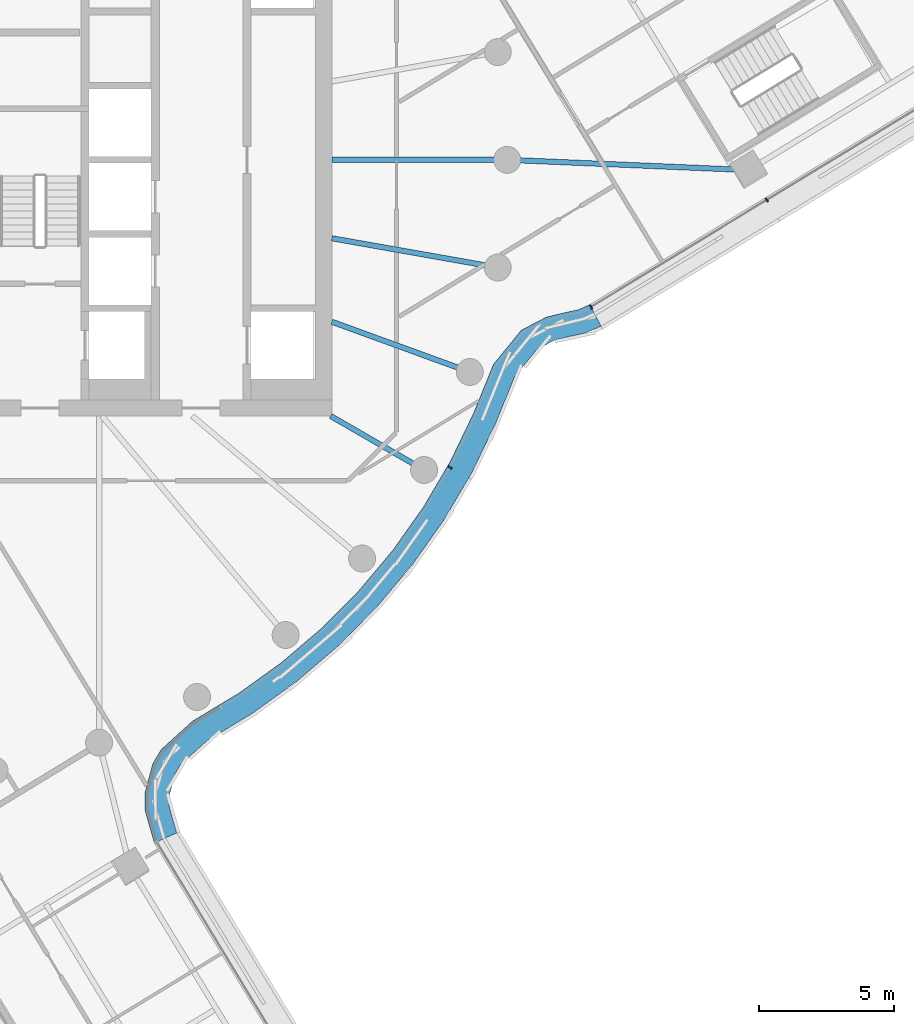
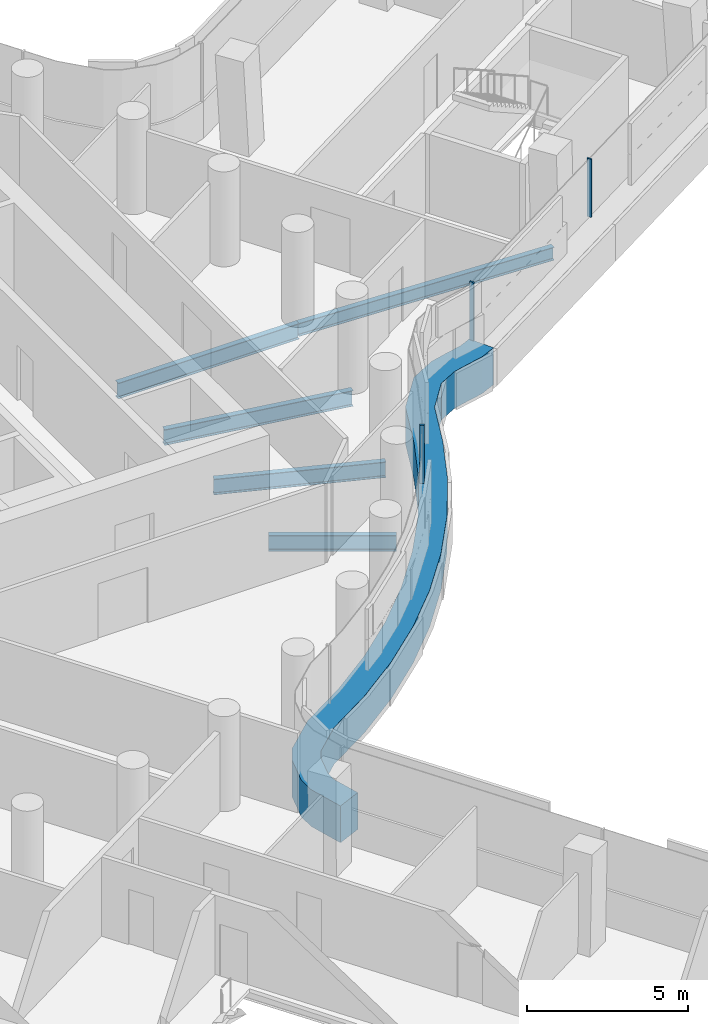
# One storey, part 11 of 35: 5 beams, 4 members, 2 elements without a shape of their own.
"""IFC4 building model written with IfcOpenShell, lengths in metres."""

from ifc_helpers import new_model, si_unit, direction, frame, origin, origin_2d, place, context, subcontext, project, spatial, polyline, rectangle, i_section, outline, extrude, material, layer, layer_set, material_profile, profile_set, type_object, element, aggregate, save


model = new_model("IFC4")

# Units and contexts
model_context = context("Model", 3, precision=1e-05, world=origin(), true_north=direction((0.0, 1.0)))
body_context = subcontext(model_context, "Body", "Model", "MODEL_VIEW")
ifc_project = project(units=[si_unit("LENGTHUNIT", "METRE"), si_unit("AREAUNIT", "SQUARE_METRE"), si_unit("VOLUMEUNIT", "CUBIC_METRE"), si_unit("PLANEANGLEUNIT", "RADIAN"), si_unit("MASSUNIT", "GRAM", prefix="KILO")], contexts=[model_context])

# Site, building, storey
site_placement = place(None, origin())
site = spatial("IfcSite", under=ifc_project, at=site_placement, CompositionType="ELEMENT")
building_placement = place(site_placement, origin())
building = spatial("IfcBuilding", under=site, at=building_placement, Name="Tamarind Cross Interchange Tower", CompositionType="ELEMENT")
storey_placement = place(building_placement, frame((0.0, 0.0, 148.0)))
storey = spatial("IfcBuildingStorey", under=building, at=storey_placement, Name="L36", CompositionType="ELEMENT", Elevation=148.0)

# Beams
ifc_material_1 = material(Name="Steel Q355B", Category="steel")
ifc_material_profile_1 = material_profile(ifc_material_1, i_section(OverallWidth=0.198974609375, OverallDepth=0.49609375, WebThickness=0.009033203125, FlangeThickness=0.013916015625, FilletRadius=0.012939453125, at=origin_2d()), Name="HN 496x199x9x14")
ifc_profile_set_1 = profile_set([ifc_material_profile_1], Name="Steel Q355B")
beam_type_1 = type_object("IfcBeamType", Name="Composite beam HN 496x199x9x14 Q355B", PredefinedType="BEAM", material=ifc_profile_set_1)
beam_1_placement = place(storey_placement, frame((31.94970703125, -0.3798828125, -0.387939453125), z_axis=(-0.999100367182, 0.04240821025, 0.0), x_axis=(-0.04240821025, -0.999100367182, 0.0)))
element("IfcBeam", 1, at=beam_1_placement, inside=storey, type_object=beam_type_1, Name="Beam E-linkem", PredefinedType="BEAM", context=body_context, shape_type="SweptSolid", body=[
    extrude(i_section(OverallWidth=0.198974609375, OverallDepth=0.49609375, WebThickness=0.009033203125, FlangeThickness=0.013916015625, FilletRadius=0.012939453125, at=origin_2d()), origin(), (0.0, 0.0, 1.0), 8.957763671875),
])
ifc_material_profile_2 = material_profile(ifc_material_1, i_section(OverallWidth=0.198974609375, OverallDepth=0.595947265625, WebThickness=0.010009765625, FlangeThickness=0.014892578125, FilletRadius=0.012939453125, at=origin_2d()), Name="HN 596x199x10x15")
ifc_profile_set_2 = profile_set([ifc_material_profile_2], Name="Steel Q355B")
beam_type_2 = type_object("IfcBeamType", Name="Composite beam HN 596x199x10x15 Q355B", PredefinedType="BEAM", material=ifc_profile_set_2)
beam_2_placement = place(storey_placement, frame((23.0, 0.0, -0.43798828125), z_axis=(-1.0, 0.0, 0.0), x_axis=(0.0, -1.0, 0.0)))
element("IfcBeam", 2, at=beam_2_placement, inside=storey, type_object=beam_type_2, Name="Beam HH00", PredefinedType="BEAM", context=body_context, shape_type="SweptSolid", body=[
    extrude(i_section(OverallWidth=0.198974609375, OverallDepth=0.595947265625, WebThickness=0.010009765625, FlangeThickness=0.014892578125, FilletRadius=0.012939453125, at=origin_2d()), origin(), (0.0, 0.0, 1.0), 6.5),
])
beam_3_placement = place(storey_placement, frame((19.918701171875, -11.5, -0.43798828125), z_axis=(-0.866026010844, 0.49999894854, 0.0), x_axis=(-0.49999894854, -0.866026010844, 0.0)))
element("IfcBeam", 3, at=beam_3_placement, inside=storey, type_object=beam_type_2, Name="Beam HH33", PredefinedType="BEAM", context=body_context, shape_type="SweptSolid", body=[
    extrude(i_section(OverallWidth=0.198974609375, OverallDepth=0.595947265625, WebThickness=0.010009765625, FlangeThickness=0.014892578125, FilletRadius=0.012939453125, at=origin_2d()), origin(), (0.0, 0.0, 1.0), 4.0),
])
beam_4_placement = place(storey_placement, frame((21.613037109375, -7.866455078125, -0.43798828125), z_axis=(-0.939701685589, 0.341995236956, 0.0), x_axis=(-0.341995236956, -0.939701685589, 0.0)))
element("IfcBeam", 4, at=beam_4_placement, inside=storey, type_object=beam_type_2, Name="Beam HH34", PredefinedType="BEAM", context=body_context, shape_type="SweptSolid", body=[
    extrude(i_section(OverallWidth=0.198974609375, OverallDepth=0.595947265625, WebThickness=0.010009765625, FlangeThickness=0.014892578125, FilletRadius=0.012939453125, at=origin_2d()), origin(), (0.0, 0.0, 1.0), 5.441162109375),
])
beam_5_placement = place(storey_placement, frame((22.650634765625, -3.993896484375, -0.43798828125), z_axis=(-0.984809127561, 0.173640382036, 0.0), x_axis=(-0.173640382036, -0.984809127561, 0.0)))
element("IfcBeam", 5, at=beam_5_placement, inside=storey, type_object=beam_type_2, Name="Beam HH35", PredefinedType="BEAM", context=body_context, shape_type="SweptSolid", body=[
    extrude(i_section(OverallWidth=0.198974609375, OverallDepth=0.595947265625, WebThickness=0.010009765625, FlangeThickness=0.014892578125, FilletRadius=0.012939453125, at=origin_2d()), origin(), (0.0, 0.0, 1.0), 6.24560546875),
])

# Curtain wall, members
ifc_material_2 = material(Name="Aluminium 6063-T6", Category="aluminium")
ifc_layer = layer(ifc_material_2, 0.159912109375)
ifc_layer_set = layer_set([ifc_layer], Name="Aluminium 6063-T6")
curtain_wall_type = type_object("IfcCurtainWallType", Name="Office curtain wall, 9.0 m bays", PredefinedType="NOTDEFINED", material=ifc_layer_set)
curtain_wall_1_placement = place(storey_placement, origin())
curtain_wall_1 = element("IfcCurtainWall", 6, at=curtain_wall_1_placement, inside=storey, type_object=curtain_wall_type, Name="CWS-L36-06", PredefinedType="NOTDEFINED")
ifc_material_3 = material(Name="Aluminium and insulated spandrel panel", Category="aluminium")
member_type_1 = type_object("IfcMemberType", Name="Floor-edge blade transom", PredefinedType="USERDEFINED", material=ifc_material_3)
member_1_placement = place(storey_placement, origin())
member_1 = element("IfcMember", 7, at=member_1_placement, type_object=member_type_1, Name="CWT-L36-06", ObjectType="TRANSOM", PredefinedType="USERDEFINED", context=body_context, shape_type="SweptSolid", body=[
    extrude(outline(polyline([(9.91357421875, -25.32666015625), (9.56494140625, -24.099365234375), (9.56103515625, -23.493408203125), (9.858154296875, -22.39306640625), (10.1689453125, -21.867919921875), (11.331787109375, -20.8125), (13.045654296875, -19.78125), (14.634521484375, -18.636474609375), (16.12353515625, -17.3642578125), (17.50244140625, -15.973388671875), (18.76171875, -14.4736328125), (19.892822265625, -12.874755859375), (20.88818359375, -11.188232421875), (21.741943359375, -9.42236328125), (22.49267578125, -7.57763671875), (23.522216796875, -6.316650390625), (24.4443359375, -5.836181640625), (25.094970703125, -5.676513671875), (25.632568359375, -5.560302734375), (26.064208984375, -5.36962890625), (26.48193359375, -6.1689453125), (25.912353515625, -6.420654296875), (25.29736328125, -6.553466796875), (24.76416015625, -6.684326171875), (24.102294921875, -7.029052734375), (23.275390625, -8.042236328125), (22.564697265625, -9.788330078125), (21.68212890625, -11.613525390625), (20.64892578125, -13.3642578125), (19.474853515625, -15.023681640625), (18.167724609375, -16.580810546875), (16.736572265625, -18.0244140625), (15.19091796875, -19.344970703125), (13.54150390625, -20.533203125), (11.871337890625, -21.538330078125), (10.874267578125, -22.443115234375), (10.695068359375, -22.74609375), (10.461669921875, -23.610107421875), (10.464111328125, -23.970947265625), (10.74609375, -24.964111328125), (9.91357421875, -25.32666015625)])), origin(), (0.0, 0.0, 1.0), 1.39990234375),
])
ifc_material_profile_3 = material_profile(ifc_material_2, rectangle(XDim=0.06005859375, YDim=0.159912109375, at=origin_2d()), Name="Mullion CW1")
ifc_profile_set_3 = profile_set([ifc_material_profile_3], Name="Aluminium 6063-T6")
member_type_2 = type_object("IfcMemberType", Name="Mullion CW1", PredefinedType="MULLION", material=ifc_profile_set_3)
member_2_placement = place(storey_placement, frame((20.87646484375, -11.404541015625, 1.39990234375), z_axis=(0.0, 0.0, 1.0), x_axis=(0.508183308752, 0.861248933065, 0.0)))
member_2 = element("IfcMember", 8, at=member_2_placement, type_object=member_type_2, Name="CWM-L36-06-02", PredefinedType="MULLION", context=body_context, shape_type="SweptSolid", body=[
    extrude(rectangle(XDim=0.06005859375, YDim=0.159912109375, at=origin_2d()), origin(), (0.0, 0.0, 1.0), 2.210205078125),
])
aggregate(curtain_wall_1, [member_2, member_1])

curtain_wall_2_placement = place(storey_placement, origin())
curtain_wall_2 = element("IfcCurtainWall", 9, at=curtain_wall_2_placement, inside=storey, type_object=curtain_wall_type, Name="CWS-L36-07", PredefinedType="NOTDEFINED")
member_3_placement = place(storey_placement, frame((26.110595703125, -5.45849609375, 1.39990234375), z_axis=(0.0, 0.0, 1.0), x_axis=(0.886252090619, 0.463203229558, 0.0)))
member_3 = element("IfcMember", 10, at=member_3_placement, type_object=member_type_2, Name="CWM-L36-07-00", PredefinedType="MULLION", context=body_context, shape_type="SweptSolid", body=[
    extrude(rectangle(XDim=0.06005859375, YDim=0.159912109375, at=origin_2d()), origin(), (0.0, 0.0, 1.0), 2.210205078125),
])
member_4_placement = place(storey_placement, frame((32.626708984375, -1.489501953125, 1.39990234375), z_axis=(0.0, 0.0, 1.0), x_axis=(0.854059616181, 0.520175135901, 0.0)))
member_4 = element("IfcMember", 11, at=member_4_placement, type_object=member_type_2, Name="CWM-L36-07-01", PredefinedType="MULLION", context=body_context, shape_type="SweptSolid", body=[
    extrude(rectangle(XDim=0.06005859375, YDim=0.159912109375, at=origin_2d()), origin(), (0.0, 0.0, 1.0), 2.210205078125),
])
aggregate(curtain_wall_2, [member_3, member_4])

save(model, "model.ifc")
